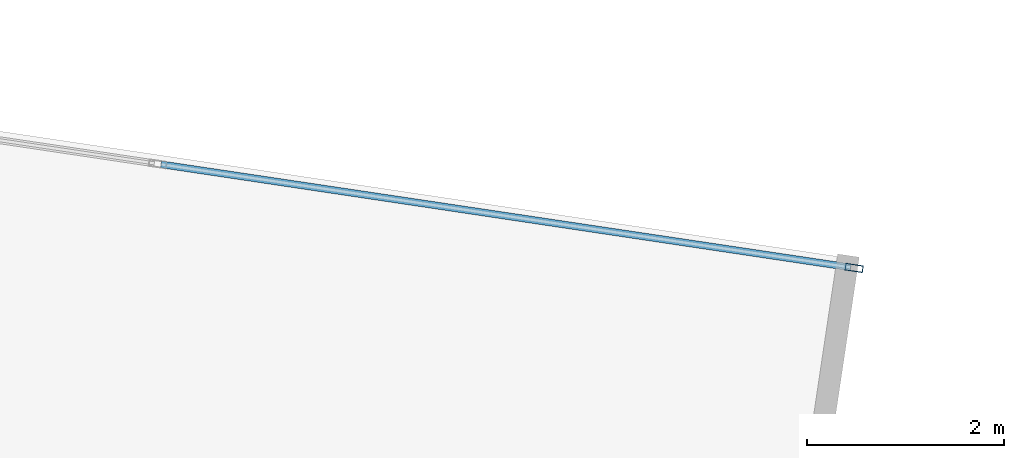
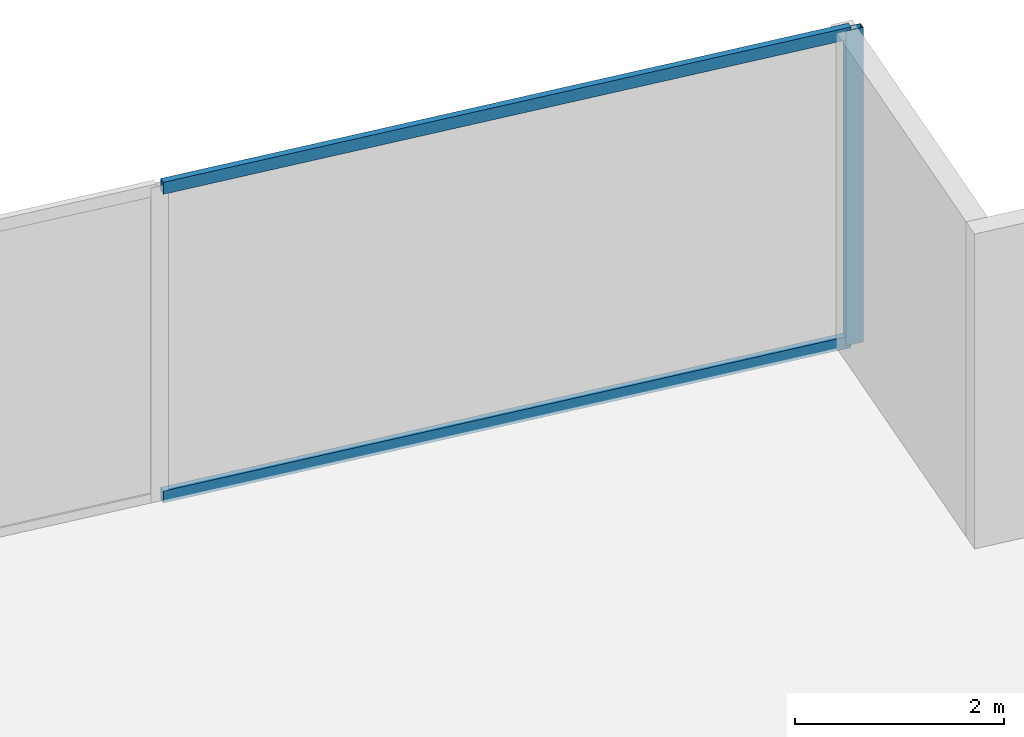
# One storey, part 23 of 29: 3 members, 1 element without a shape of its own.
"""IFC4 building model written with IfcOpenShell, lengths in metres."""

import ifcopenshell
import ifcopenshell.guid

model = None  # the IFC model being written
_history = None  # IfcOwnerHistory: only IFC2X3 demands one
_inside = {}  # id of a spatial element -> (the spatial element, [elements in it])
_under = {}  # id of a project, library or spatial element -> (it, [spatial elements below it])
_declared = {}  # id of a project -> (the project, [libraries it declares])
_typed = {}  # id of a type object -> (the type object, [elements of that type])
_made_of = {}  # id of a material, layer set ... -> (it, [elements and type objects made of it])


def new_model(schema):
    """Start an empty IFC model of exactly this schema.

    Asked for "IFC4X3", IfcOpenShell would pick the latest addendum, in which some entities
    have other attributes; the version numbers below select the first issue.
    IFC2X3 requires an IfcOwnerHistory on every rooted entity: one is made here for all.
    """
    global model, _history
    if schema == "IFC4X3":
        model = ifcopenshell.file(schema_version=(4, 3, 0, 0))
    else:
        model = ifcopenshell.file(schema=schema)
    _inside.clear()
    _under.clear()
    _declared.clear()
    _typed.clear()
    _made_of.clear()
    _history = None
    if model.schema == "IFC2X3":
        org = make("IfcOrganization", Name="unknown")
        user = make(
            "IfcPersonAndOrganization",
            ThePerson=make("IfcPerson", FamilyName="unknown"),
            TheOrganization=org,
        )
        app = make(
            "IfcApplication",
            ApplicationDeveloper=org,
            Version="unknown",
            ApplicationFullName="unknown",
            ApplicationIdentifier="unknown",
        )
        _history = make(
            "IfcOwnerHistory",
            OwningUser=user,
            OwningApplication=app,
            ChangeAction="ADDED",
            CreationDate=0,
        )
    return model


def make(cls, **values):
    """One entity of the class cls with the attributes given. An attribute that is None is left unset."""
    return model.create_entity(
        cls, **{name: value for name, value in values.items() if value is not None}
    )


def rooted(cls, **values):
    """An entity with a GlobalId (a new one), such as an element, a storey or a relation."""
    return make(cls, GlobalId=ifcopenshell.guid.new(), OwnerHistory=_history, **values)


def si_unit(unit_type, name, prefix=None):
    """IfcSIUnit, for example si_unit("LENGTHUNIT", "METRE", prefix="MILLI")."""
    return make("IfcSIUnit", UnitType=unit_type, Prefix=prefix, Name=name)


def assignment(units):
    """IfcUnitAssignment: the units of a project."""
    return None if units is None else make("IfcUnitAssignment", Units=units)


def point(xyz):
    """IfcCartesianPoint."""
    return None if xyz is None else make("IfcCartesianPoint", Coordinates=xyz)


def direction(xyz):
    """IfcDirection."""
    return None if xyz is None else make("IfcDirection", DirectionRatios=xyz)


def frame(location, z_axis=None, x_axis=None):
    """IfcAxis2Placement3D, a coordinate frame: its origin and axes. An axis left out is left unset."""
    return make(
        "IfcAxis2Placement3D",
        Location=point(location),
        Axis=direction(z_axis),
        RefDirection=direction(x_axis),
    )


def frame_2d(location, x_axis=None):
    """IfcAxis2Placement2D, a coordinate frame in the plane: its origin and x axis."""
    return make(
        "IfcAxis2Placement2D", Location=point(location), RefDirection=direction(x_axis)
    )


def origin():
    """The frame at (0, 0, 0) with its axes left unset."""
    return frame((0.0, 0.0, 0.0))


def origin_2d():
    """The frame at (0, 0) in the plane with its x axis left unset."""
    return frame_2d((0.0, 0.0))


def place(relative_to, where):
    """IfcLocalPlacement: puts the frame where relative to a parent placement (None: the world)."""
    return make(
        "IfcLocalPlacement", PlacementRelTo=relative_to, RelativePlacement=where
    )


def context(
    kind, dimensions, precision=None, world=None, true_north=None, identifier=None
):
    """IfcGeometricRepresentationContext, for example the 3D "Model" context."""
    return make(
        "IfcGeometricRepresentationContext",
        ContextIdentifier=identifier,
        ContextType=kind,
        CoordinateSpaceDimension=dimensions,
        Precision=precision,
        WorldCoordinateSystem=world,
        TrueNorth=true_north,
    )


def subcontext(parent, identifier, kind, view, scale=None):
    """IfcGeometricRepresentationSubContext, for example "Body" below "Model"."""
    return make(
        "IfcGeometricRepresentationSubContext",
        ContextIdentifier=identifier,
        ContextType=kind,
        ParentContext=parent,
        TargetScale=scale,
        TargetView=view,
    )


def project(units=None, contexts=None):
    """IfcProject with its units and contexts."""
    return rooted(
        "IfcProject",
        Name="project",
        RepresentationContexts=contexts,
        UnitsInContext=assignment(units),
    )


def spatial(cls, under=None, at=None, **own):
    """A site, building, storey or space (cls), placed at a placement, below another one or the project."""
    s = rooted(cls, ObjectPlacement=at, **own)
    if under is not None:
        _under.setdefault(under.id(), (under, []))[1].append(s)
    return s


def profile(cls, at=None, kind="AREA", **sizes):
    """A parametric profile (cls). Its sizes go by their IFC names, for example OverallWidth=200.0."""
    return make(cls, ProfileType=kind, Position=at, **sizes)


def hollow_rectangle(**sizes):
    """IfcRectangleHollowProfileDef."""
    return profile("IfcRectangleHollowProfileDef", **sizes)


def extrude(swept, where, along, depth):
    """IfcExtrudedAreaSolid: the profile swept, set in the frame where, extruded along a direction by depth."""
    return make(
        "IfcExtrudedAreaSolid",
        SweptArea=swept,
        Position=where,
        ExtrudedDirection=direction(along),
        Depth=depth,
    )


def shape(context_of_items, identifier, shape_type, items):
    """IfcShapeRepresentation: the items that make up one representation, for example the "Body"."""
    return make(
        "IfcShapeRepresentation",
        ContextOfItems=context_of_items,
        RepresentationIdentifier=identifier,
        RepresentationType=shape_type,
        Items=items,
    )


def source(mapping_origin, context_of_items, identifier, shape_type, items):
    """IfcRepresentationMap: a shape defined once, which mapped items show again and again."""
    return make(
        "IfcRepresentationMap",
        MappingOrigin=mapping_origin,
        MappedRepresentation=shape(context_of_items, identifier, shape_type, items),
    )


def transform(
    local_origin,
    x_axis=None,
    y_axis=None,
    z_axis=None,
    scale=None,
    scale2=None,
    scale3=None,
    uniform=True,
):
    """IfcCartesianTransformationOperator3D, or its non-uniform kind. x_axis, y_axis, z_axis: its Axis1, 2, 3."""
    if uniform:
        return make(
            "IfcCartesianTransformationOperator3D",
            Axis1=direction(x_axis),
            Axis2=direction(y_axis),
            LocalOrigin=point(local_origin),
            Scale=scale,
            Axis3=direction(z_axis),
        )
    return make(
        "IfcCartesianTransformationOperator3DnonUniform",
        Axis1=direction(x_axis),
        Axis2=direction(y_axis),
        LocalOrigin=point(local_origin),
        Scale=scale,
        Axis3=direction(z_axis),
        Scale2=scale2,
        Scale3=scale3,
    )


def mapped(mapping_source, mapping_target):
    """IfcMappedItem: shows the shape of a source again, moved by a transform."""
    return make(
        "IfcMappedItem", MappingSource=mapping_source, MappingTarget=mapping_target
    )


def material(Name=None, Category=None):
    """IfcMaterial."""
    return make("IfcMaterial", Name=Name, Category=Category)


def material_profile(
    of_material, cross_section, Name=None, Category=None, Priority=None
):
    """IfcMaterialProfile: a cross section and its material."""
    return make(
        "IfcMaterialProfile",
        Name=Name,
        Material=of_material,
        Profile=cross_section,
        Priority=Priority,
        Category=Category,
    )


def profile_set(profiles, Name=None, composite=None):
    """IfcMaterialProfileSet."""
    return make(
        "IfcMaterialProfileSet",
        Name=Name,
        MaterialProfiles=profiles,
        CompositeProfile=composite,
    )


def made_of(thing, what):
    """Note that an element or type object is made of a material, layer set ...; save() writes the relation."""
    if what is not None:
        _made_of.setdefault(what.id(), (what, []))[1].append(thing)
    return thing


def type_object(cls, material=None, **own):
    """A type object (cls), such as IfcWallType, which elements share."""
    return made_of(rooted(cls, **own), material)


def type_shapes(of_type, sources):
    """Give a type object the sources (RepresentationMaps) that its elements show as mapped items."""
    of_type.RepresentationMaps = sources


def element(
    cls,
    number,
    at=None,
    inside=None,
    cuts=None,
    type_object=None,
    material=None,
    context=None,
    identifier="Body",
    shape_type=None,
    held_by="IfcProductDefinitionShape",
    body=None,
    shapes=None,
    **own,
):
    """One element of the class cls, such as IfcWall. Its Tag is "e" and its number.

    at: its placement. inside: the storey or other place that contains it. cuts: it is an
    opening in that element (IfcRelVoidsElement). A single representation is given by context,
    identifier, shape_type and body (its items); several are given by shapes. held_by: the class
    of the entity that holds the representations. save() writes the other relations.
    """
    e = rooted(cls, Tag="e%d" % number, ObjectPlacement=at, **own)
    if body is not None:
        shapes = [shape(context, identifier, shape_type, body)]
    if shapes is not None:
        e.Representation = make(held_by, Representations=shapes)
    if inside is not None:
        _inside.setdefault(inside.id(), (inside, []))[1].append(e)
    if cuts is not None:
        rooted(
            "IfcRelVoidsElement", RelatingBuildingElement=cuts, RelatedOpeningElement=e
        )
    if type_object is not None:
        _typed.setdefault(type_object.id(), (type_object, []))[1].append(e)
    return made_of(e, material)


def aggregate(whole, parts):
    """IfcRelAggregates: a whole, such as a stair, and the parts it consists of."""
    return rooted("IfcRelAggregates", RelatingObject=whole, RelatedObjects=parts)


def save(model, path):
    """Write the relations noted so far, then the file.

    IfcRelAggregates (storeys below a building ...), IfcRelContainedInSpatialStructure (elements
    in a storey), IfcRelDefinesByType, IfcRelAssociatesMaterial and IfcRelDeclares: one each for
    every whole, place, type object, material and project.
    """
    for whole, parts in _under.values():
        aggregate(whole, parts)
    for where, things in _inside.values():
        rooted(
            "IfcRelContainedInSpatialStructure",
            RelatedElements=things,
            RelatingStructure=where,
        )
    for kind, things in _typed.values():
        rooted("IfcRelDefinesByType", RelatedObjects=things, RelatingType=kind)
    for what, things in _made_of.values():
        rooted("IfcRelAssociatesMaterial", RelatedObjects=things, RelatingMaterial=what)
    for by, libraries in _declared.values():
        rooted("IfcRelDeclares", RelatingContext=by, RelatedDefinitions=libraries)
    model.write(path)


model = new_model("IFC4")

# Units and contexts
model_context = context("Model", 3, precision=1e-05, world=origin(), true_north=direction((0.0, 1.0)))
body_context = subcontext(model_context, "Body", "Model", "MODEL_VIEW")
ifc_project = project(units=[si_unit("LENGTHUNIT", "METRE"), si_unit("AREAUNIT", "SQUARE_METRE"), si_unit("VOLUMEUNIT", "CUBIC_METRE"), si_unit("PLANEANGLEUNIT", "RADIAN"), si_unit("MASSUNIT", "GRAM", prefix="KILO")], contexts=[model_context])

# Site, building, storey
site_placement = place(None, origin())
site = spatial("IfcSite", under=ifc_project, at=site_placement, CompositionType="ELEMENT")
building_placement = place(site_placement, origin())
building = spatial("IfcBuilding", under=site, at=building_placement, Name="Krantzveldt Concourse Tower", CompositionType="ELEMENT")
storey_placement = place(building_placement, frame((0.0, 0.0, 68.449951171875)))
storey = spatial("IfcBuildingStorey", under=building, at=storey_placement, Name="L16", CompositionType="ELEMENT", Elevation=68.449951171875)

# Curtain wall, members
ifc_material = material(Name="Anodised aluminium 6063-T6", Category="aluminium")
curtain_wall_type = type_object("IfcCurtainWallType", Name="CW2", PredefinedType="USERDEFINED", material=ifc_material)
curtain_wall_placement = place(storey_placement, origin())
curtain_wall = element("IfcCurtainWall", 1, at=curtain_wall_placement, inside=storey, type_object=curtain_wall_type, Name="CW-L16-F10", ObjectType="UNITISED CURTAIN WALL", PredefinedType="USERDEFINED")
ifc_material_profile_1 = material_profile(ifc_material, hollow_rectangle(XDim=0.070068359375, YDim=0.139892578125, WallThickness=0.0048828125, at=origin_2d()), Name="Anodised aluminium 6063-T6", Category="aluminium")
ifc_profile_set_1 = profile_set([ifc_material_profile_1], Name="Anodised aluminium 6063-T6 - ALU-TRAN 140x70x5")
member_type_1 = type_object("IfcMemberType", Name="CW-TRN-150", PredefinedType="USERDEFINED", material=ifc_profile_set_1)
shared_shape_1 = source(origin(), body_context, "Body", "SweptSolid", [
    extrude(hollow_rectangle(XDim=0.070068359375, YDim=0.139892578125, WallThickness=0.0048828125, at=origin_2d()), origin(), (0.0, 0.0, 1.0), 7.061767578125),
])
type_shapes(member_type_1, [shared_shape_1])
member_1_placement = place(storey_placement, frame((60.87646484375, 48.1689453125, 0.03515625), z_axis=(-0.989017605897, 0.147797751082, 0.0), x_axis=(-0.147797751082, -0.989017605897, 0.0)))
member_1 = element("IfcMember", 2, at=member_1_placement, type_object=member_type_1, Name="CW-Z12 transom 1.1", ObjectType="TRANSOM", PredefinedType="USERDEFINED", context=body_context, shape_type="MappedRepresentation", body=[
    mapped(shared_shape_1, transform((0.0, 0.0, 0.0), x_axis=(1.0, 0.0, 0.0), y_axis=(0.0, 1.0, 0.0), z_axis=(0.0, 0.0, 1.0), scale=1.0)),
])
member_2_placement = place(storey_placement, frame((60.87646484375, 48.1689453125, 3.635009765625), z_axis=(-0.989017605897, 0.147797751082, 0.0), x_axis=(-0.147797751082, -0.989017605897, 0.0)))
member_2 = element("IfcMember", 3, at=member_2_placement, type_object=member_type_1, Name="CW-Z12 transom 1.2", ObjectType="TRANSOM", PredefinedType="USERDEFINED", context=body_context, shape_type="MappedRepresentation", body=[
    mapped(shared_shape_1, transform((0.0, 0.0, 0.0), x_axis=(1.0, 0.0, 0.0), y_axis=(0.0, 1.0, 0.0), z_axis=(0.0, 0.0, 1.0), scale=1.0)),
])
ifc_material_profile_2 = material_profile(ifc_material, hollow_rectangle(XDim=0.070068359375, YDim=0.179931640625, WallThickness=0.0048828125, at=origin_2d()), Name="Anodised aluminium 6063-T6", Category="aluminium")
ifc_profile_set_2 = profile_set([ifc_material_profile_2], Name="Anodised aluminium 6063-T6 - ALU-MULL 180x70x5")
member_type_2 = type_object("IfcMemberType", Name="CW-MUL-180", PredefinedType="MULLION", material=ifc_profile_set_2)
shared_shape_2 = source(origin(), body_context, "Body", "SweptSolid", [
    extrude(hollow_rectangle(XDim=0.070068359375, YDim=0.179931640625, WallThickness=0.0048828125, at=origin_2d()), origin(), (0.0, 0.0, 1.0), 3.670166015625),
])
type_shapes(member_type_2, [shared_shape_2])
member_3_placement = place(storey_placement, frame((60.9111328125, 48.16357421875, 0.0), z_axis=(0.0, 0.0, 1.0), x_axis=(-0.147809505412, -0.989015849271, 0.0)))
member_3 = element("IfcMember", 4, at=member_3_placement, type_object=member_type_2, Name="CW-Z12 mullion 1", PredefinedType="MULLION", context=body_context, shape_type="MappedRepresentation", body=[
    mapped(shared_shape_2, transform((0.0, 0.0, 0.0), x_axis=(1.0, 0.0, 0.0), y_axis=(0.0, 1.0, 0.0), z_axis=(0.0, 0.0, 1.0), scale=1.0)),
])
aggregate(curtain_wall, [member_3, member_1, member_2])

save(model, "model.ifc")
